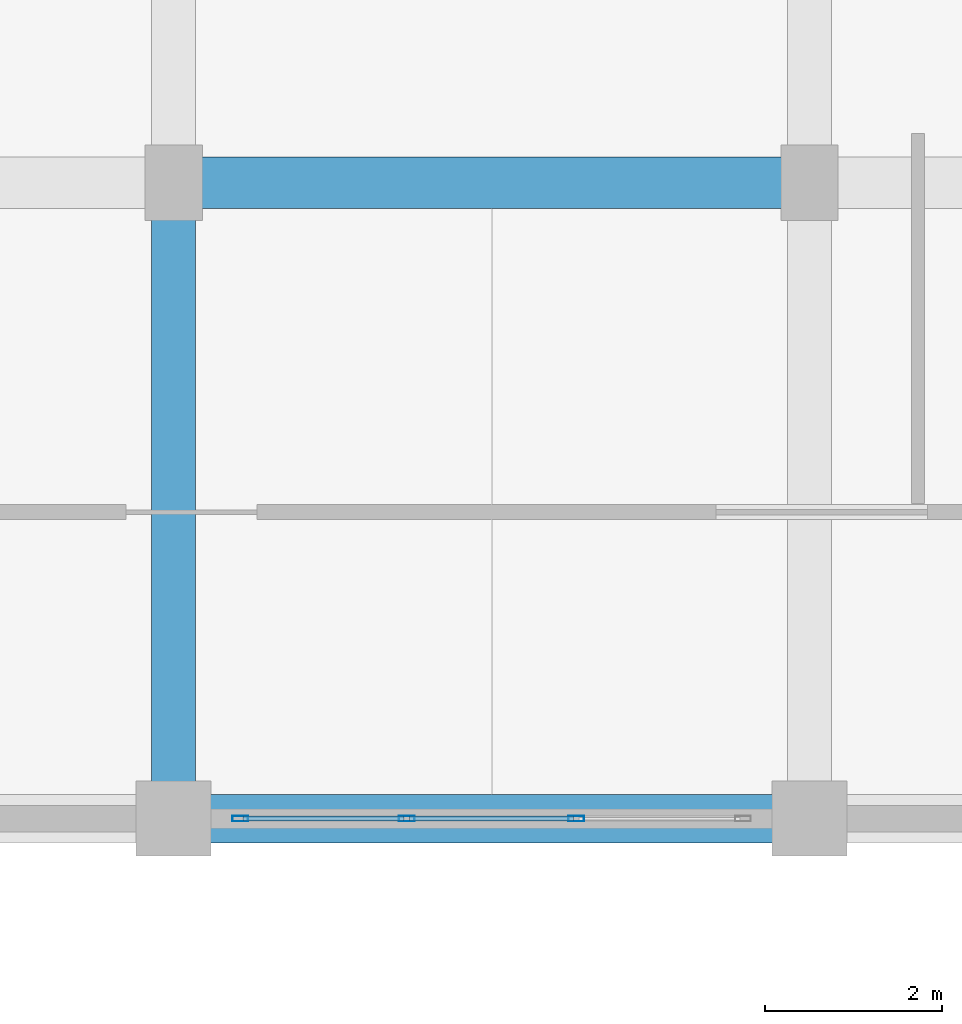
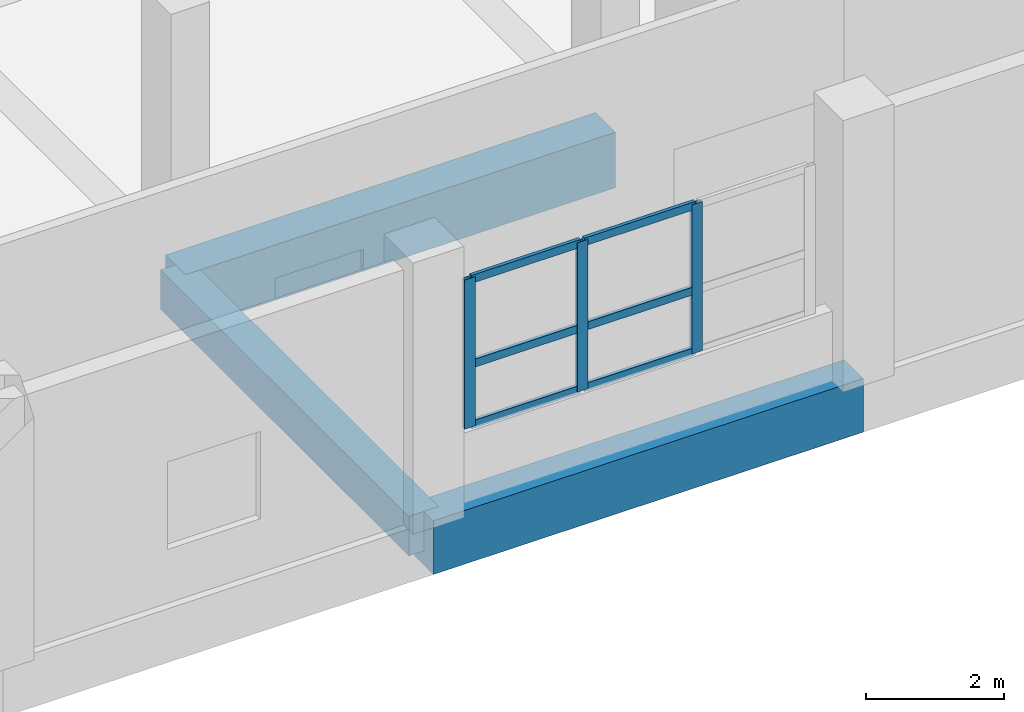
# One storey, part 97 of 181: 9 members, 3 beams, 1 element without a shape of its own.
"""IFC4 building model written with IfcOpenShell, lengths in metres."""

from ifc_helpers import new_model, si_unit, direction, frame, origin, origin_2d, place, context, subcontext, project, spatial, rectangle, hollow_rectangle, extrude, material, layer, layer_set, material_profile, profile_set, type_object, element, aggregate, save


model = new_model("IFC4")

# Units and contexts
model_context = context("Model", 3, precision=1e-05, world=origin(), true_north=direction((0.0, 1.0)))
body_context = subcontext(model_context, "Body", "Model", "MODEL_VIEW")
ifc_project = project(units=[si_unit("LENGTHUNIT", "METRE"), si_unit("AREAUNIT", "SQUARE_METRE"), si_unit("VOLUMEUNIT", "CUBIC_METRE"), si_unit("PLANEANGLEUNIT", "RADIAN"), si_unit("MASSUNIT", "GRAM", prefix="KILO")], contexts=[model_context])

# Site, building, storey
site_placement = place(None, origin())
site = spatial("IfcSite", under=ifc_project, at=site_placement, CompositionType="ELEMENT")
building_placement = place(site_placement, origin())
building = spatial("IfcBuilding", under=site, at=building_placement, Name="Seraya Terrace Polytechnic", CompositionType="ELEMENT")
storey_placement = place(building_placement, frame((0.0, 0.0, 4.800048828125)))
storey = spatial("IfcBuildingStorey", under=building, at=storey_placement, Name="L01", CompositionType="ELEMENT", Elevation=4.800048828125)

# Beams
ifc_material_1 = material(Name="Concrete C40/50", Category="concrete")
ifc_material_profile_1 = material_profile(ifc_material_1, rectangle(XDim=0.580078125, YDim=0.97998046875, at=origin_2d()), Name="RC 580x980")
ifc_profile_set_1 = profile_set([ifc_material_profile_1], Name="Concrete C40/50")
beam_type_1 = type_object("IfcBeamType", Name="BM-02", PredefinedType="BEAM", material=ifc_profile_set_1)
beam_1_placement = place(storey_placement, frame((122.39990234375, 79.199951171875, -0.489990234375), z_axis=(1.0, 0.0, 0.0), x_axis=(0.0, 1.0, 0.0)))
element("IfcBeam", 1, at=beam_1_placement, inside=storey, type_object=beam_type_1, Name="Beam BM-02 L01 X (122.4..129.6, 79.2)", PredefinedType="BEAM", context=body_context, shape_type="SweptSolid", body=[
    extrude(rectangle(XDim=0.580078125, YDim=0.97998046875, at=origin_2d()), origin(), (0.0, 0.0, 1.0), 7.2001953125),
])
ifc_material_profile_2 = material_profile(ifc_material_1, rectangle(XDim=0.550048828125, YDim=0.949951171875, at=origin_2d()), Name="RC 550x950")
ifc_profile_set_2 = profile_set([ifc_material_profile_2], Name="Concrete C40/50")
beam_type_2 = type_object("IfcBeamType", Name="BM-03", PredefinedType="BEAM", material=ifc_profile_set_2)
beam_2_placement = place(storey_placement, frame((122.39990234375, 72.0, -0.47509765625), z_axis=(1.0, 0.0, 0.0), x_axis=(0.0, 1.0, 0.0)))
element("IfcBeam", 2, at=beam_2_placement, inside=storey, type_object=beam_type_2, Name="Beam BM-03 L01 X (122.4..129.6, 72.0)", PredefinedType="BEAM", context=body_context, shape_type="SweptSolid", body=[
    extrude(rectangle(XDim=0.550048828125, YDim=0.949951171875, at=origin_2d()), origin(), (0.0, 0.0, 1.0), 7.2001953125),
])
ifc_material_profile_3 = material_profile(ifc_material_1, rectangle(XDim=0.5, YDim=0.699951171875, at=origin_2d()), Name="RC 500x700")
ifc_profile_set_3 = profile_set([ifc_material_profile_3], Name="Concrete C40/50")
beam_type_3 = type_object("IfcBeamType", Name="BM-07", PredefinedType="BEAM", material=ifc_profile_set_3)
beam_3_placement = place(storey_placement, frame((122.39990234375, 72.0, -0.35009765625), z_axis=(0.0, 1.0, 0.0), x_axis=(-1.0, 0.0, 0.0)))
element("IfcBeam", 3, at=beam_3_placement, inside=storey, type_object=beam_type_3, Name="Beam BM-07 L01 Y (122.4, 72.0..79.2)", PredefinedType="BEAM", context=body_context, shape_type="SweptSolid", body=[
    extrude(rectangle(XDim=0.5, YDim=0.699951171875, at=origin_2d()), origin(), (0.0, 0.0, 1.0), 7.199951171875),
])

# Curtain wall, members
ifc_material_2 = material(Name="Anodised aluminium EN AW-6063 T6", Category="aluminium")
ifc_layer = layer(ifc_material_2, 0.179931640625, Name="CW-13")
ifc_layer_set = layer_set([ifc_layer], Name="Anodised aluminium EN AW-6063 T6")
curtain_wall_type = type_object("IfcCurtainWallType", Name="CW-13", PredefinedType="NOTDEFINED", material=ifc_layer_set)
curtain_wall_placement = place(storey_placement, origin())
curtain_wall = element("IfcCurtainWall", 4, at=curtain_wall_placement, inside=storey, type_object=curtain_wall_type, Name="Unitised curtain wall CW-13 (CW-L01-049)", PredefinedType="NOTDEFINED")
ifc_material_profile_4 = material_profile(ifc_material_2, hollow_rectangle(XDim=0.06494140625, YDim=0.179931640625, WallThickness=0.00390625, at=origin_2d()), Name="RHS 180x65x4.0")
ifc_profile_set_4 = profile_set([ifc_material_profile_4], Name="Anodised aluminium EN AW-6063 T6")
member_type_1 = type_object("IfcMemberType", Name="CWM-01", PredefinedType="MULLION", material=ifc_profile_set_4)
member_1_placement = place(storey_placement, frame((126.9599609375, 72.0, 1.239990234375), z_axis=(0.0, 0.0, 1.0), x_axis=(0.0, -1.0, 0.0)))
member_1 = element("IfcMember", 5, at=member_1_placement, type_object=member_type_1, Name="CW-13 mullion 2", PredefinedType="MULLION", context=body_context, shape_type="SweptSolid", body=[
    extrude(hollow_rectangle(XDim=0.06494140625, YDim=0.179931640625, WallThickness=0.00390625, at=origin_2d()), origin(), (0.0, 0.0, 1.0), 2.639892578125),
])
member_2_placement = place(storey_placement, frame((125.0400390625, 72.0, 1.239990234375), z_axis=(0.0, 0.0, 1.0), x_axis=(0.0, -1.0, 0.0)))
member_2 = element("IfcMember", 6, at=member_2_placement, type_object=member_type_1, Name="CW-13 mullion 3", PredefinedType="MULLION", context=body_context, shape_type="SweptSolid", body=[
    extrude(hollow_rectangle(XDim=0.06494140625, YDim=0.179931640625, WallThickness=0.00390625, at=origin_2d()), origin(), (0.0, 0.0, 1.0), 2.639892578125),
])
member_3_placement = place(storey_placement, frame((123.152587890625, 72.0, 1.239990234375), z_axis=(0.0, 0.0, 1.0), x_axis=(0.0, -1.0, 0.0)))
member_3 = element("IfcMember", 7, at=member_3_placement, type_object=member_type_1, Name="CW-13 mullion 4", PredefinedType="MULLION", context=body_context, shape_type="SweptSolid", body=[
    extrude(hollow_rectangle(XDim=0.06494140625, YDim=0.179931640625, WallThickness=0.00390625, at=origin_2d()), origin(), (0.0, 0.0, 1.0), 2.639892578125),
])
ifc_material_profile_5 = material_profile(ifc_material_2, hollow_rectangle(XDim=0.06005859375, YDim=0.139892578125, WallThickness=0.00341796875, at=origin_2d()), Name="RHS 140x60x3.5")
ifc_profile_set_5 = profile_set([ifc_material_profile_5], Name="Anodised aluminium EN AW-6063 T6")
member_type_2 = type_object("IfcMemberType", Name="CWT-01", PredefinedType="USERDEFINED", material=ifc_profile_set_5)
member_4_placement = place(storey_placement, frame((126.927490234375, 72.0, 1.27001953125), z_axis=(-1.0, 0.0, 0.0), x_axis=(0.0, -1.0, 0.0)))
member_4 = element("IfcMember", 8, at=member_4_placement, type_object=member_type_2, Name="CW-13 transom 2.1", ObjectType="TRANSOM", PredefinedType="USERDEFINED", context=body_context, shape_type="SweptSolid", body=[
    extrude(hollow_rectangle(XDim=0.06005859375, YDim=0.139892578125, WallThickness=0.00341796875, at=origin_2d()), origin(), (0.0, 0.0, 1.0), 1.85498046875),
])
member_5_placement = place(storey_placement, frame((126.927490234375, 72.0, 2.3486328125), z_axis=(-1.0, 0.0, 0.0), x_axis=(0.0, -1.0, 0.0)))
member_5 = element("IfcMember", 9, at=member_5_placement, type_object=member_type_2, Name="CW-13 transom 2.2", ObjectType="TRANSOM", PredefinedType="USERDEFINED", context=body_context, shape_type="SweptSolid", body=[
    extrude(hollow_rectangle(XDim=0.06005859375, YDim=0.139892578125, WallThickness=0.00341796875, at=origin_2d()), origin(), (0.0, 0.0, 1.0), 1.85498046875),
])
member_6_placement = place(storey_placement, frame((126.927490234375, 72.0, 3.849853515625), z_axis=(-1.0, 0.0, 0.0), x_axis=(0.0, -1.0, 0.0)))
member_6 = element("IfcMember", 10, at=member_6_placement, type_object=member_type_2, Name="CW-13 transom 2.3", ObjectType="TRANSOM", PredefinedType="USERDEFINED", context=body_context, shape_type="SweptSolid", body=[
    extrude(hollow_rectangle(XDim=0.06005859375, YDim=0.139892578125, WallThickness=0.00341796875, at=origin_2d()), origin(), (0.0, 0.0, 1.0), 1.85498046875),
])
member_7_placement = place(storey_placement, frame((125.007568359375, 72.0, 1.27001953125), z_axis=(-1.0, 0.0, 0.0), x_axis=(0.0, -1.0, 0.0)))
member_7 = element("IfcMember", 11, at=member_7_placement, type_object=member_type_2, Name="CW-13 transom 3.1", ObjectType="TRANSOM", PredefinedType="USERDEFINED", context=body_context, shape_type="SweptSolid", body=[
    extrude(hollow_rectangle(XDim=0.06005859375, YDim=0.139892578125, WallThickness=0.00341796875, at=origin_2d()), origin(), (0.0, 0.0, 1.0), 1.822509765625),
])
member_8_placement = place(storey_placement, frame((125.007568359375, 72.0, 2.3486328125), z_axis=(-1.0, 0.0, 0.0), x_axis=(0.0, -1.0, 0.0)))
member_8 = element("IfcMember", 12, at=member_8_placement, type_object=member_type_2, Name="CW-13 transom 3.2", ObjectType="TRANSOM", PredefinedType="USERDEFINED", context=body_context, shape_type="SweptSolid", body=[
    extrude(hollow_rectangle(XDim=0.06005859375, YDim=0.139892578125, WallThickness=0.00341796875, at=origin_2d()), origin(), (0.0, 0.0, 1.0), 1.822509765625),
])
member_9_placement = place(storey_placement, frame((125.007568359375, 72.0, 3.849853515625), z_axis=(-1.0, 0.0, 0.0), x_axis=(0.0, -1.0, 0.0)))
member_9 = element("IfcMember", 13, at=member_9_placement, type_object=member_type_2, Name="CW-13 transom 3.3", ObjectType="TRANSOM", PredefinedType="USERDEFINED", context=body_context, shape_type="SweptSolid", body=[
    extrude(hollow_rectangle(XDim=0.06005859375, YDim=0.139892578125, WallThickness=0.00341796875, at=origin_2d()), origin(), (0.0, 0.0, 1.0), 1.822509765625),
])
aggregate(curtain_wall, [member_1, member_2, member_3, member_4, member_5, member_6, member_7, member_8, member_9])

save(model, "model.ifc")
